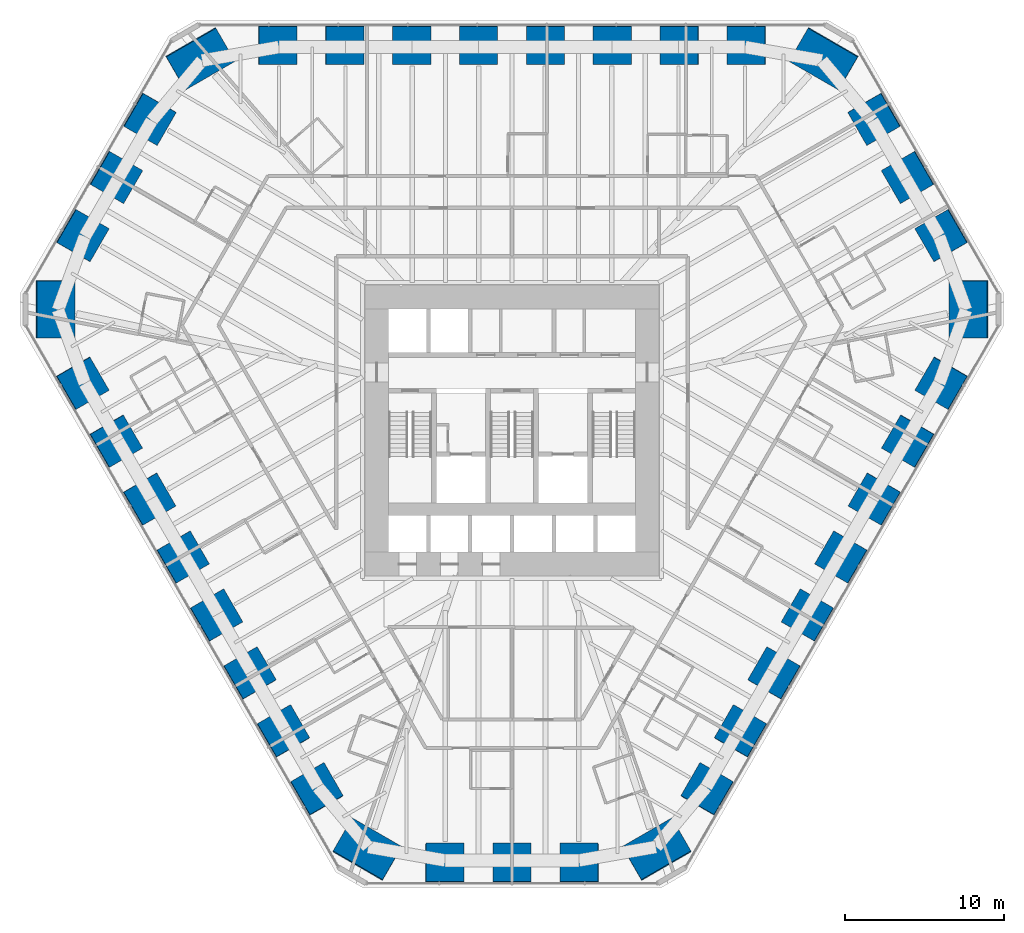
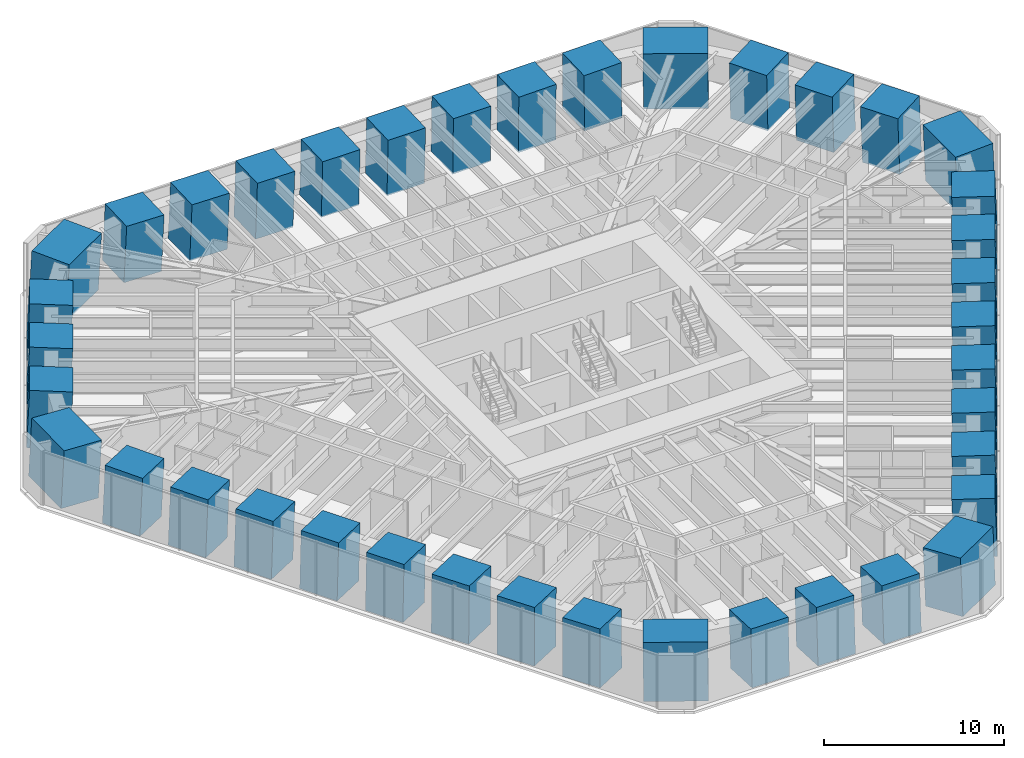
# One storey, part 1 of 17: 39 columns.
"""IFC4 building model written with IfcOpenShell, lengths in metres."""

from ifc_helpers import new_model, si_unit, direction, frame, origin, origin_2d, place, context, subcontext, project, spatial, rectangle, extrude, material, material_profile, profile_set, type_object, element, save


model = new_model("IFC4")

# Units and contexts
model_context = context("Model", 3, precision=1e-05, world=origin(), true_north=direction((0.0, 1.0)))
body_context = subcontext(model_context, "Body", "Model", "MODEL_VIEW")
ifc_project = project(units=[si_unit("LENGTHUNIT", "METRE"), si_unit("AREAUNIT", "SQUARE_METRE"), si_unit("VOLUMEUNIT", "CUBIC_METRE"), si_unit("PLANEANGLEUNIT", "RADIAN"), si_unit("MASSUNIT", "GRAM", prefix="KILO")], contexts=[model_context])

# Site, building, storey
site_placement = place(None, origin())
site = spatial("IfcSite", under=ifc_project, at=site_placement, CompositionType="ELEMENT")
building_placement = place(site_placement, origin())
building = spatial("IfcBuilding", under=site, at=building_placement, Name="Sandreach Pilgrim Tower", CompositionType="ELEMENT")
storey_placement = place(building_placement, frame((0.0, 0.0, 57.199951171875)))
storey = spatial("IfcBuildingStorey", under=building, at=storey_placement, Name="L13", CompositionType="ELEMENT", Elevation=57.199951171875)

# Columns
ifc_material_1 = material(Name="Concrete 10000 psi", Category="concrete")
ifc_material_profile_1 = material_profile(ifc_material_1, rectangle(XDim=2.39990234375, YDim=2.39990234375, at=origin_2d()), Name="RC2400X2400")
ifc_profile_set_1 = profile_set([ifc_material_profile_1], Name="Concrete 10000 psi")
column_type_1 = type_object("IfcColumnType", Name="Raked tube column RC2400X2400", PredefinedType="COLUMN", material=ifc_profile_set_1)
column_1_placement = place(storey_placement, frame((-14.734619140625, 22.688720703125, -0.072509765625), z_axis=(0.023807708363, -0.036719296231, 0.999041984256), x_axis=(0.001620059953, 0.999325341565, 0.036691103989)))
element("IfcColumn", 1, at=column_1_placement, inside=storey, type_object=column_type_1, Name="COL L13 T01", PredefinedType="COLUMN", context=body_context, shape_type="SweptSolid", body=[
    extrude(rectangle(XDim=2.39990234375, YDim=2.39990234375, at=origin_2d()), origin(), (0.0, 0.0, 1.0), 3.876220703125),
])
column_2_placement = place(storey_placement, frame((-10.52490234375, 22.688720703125, -0.064453125), z_axis=(0.017043305975, -0.036737792879, 0.999179593615), x_axis=(0.000593616433, 0.999324938891, 0.036733011435)))
element("IfcColumn", 2, at=column_2_placement, inside=storey, type_object=column_type_1, Name="COL L13 T02", PredefinedType="COLUMN", context=body_context, shape_type="SweptSolid", body=[
    extrude(rectangle(XDim=2.39990234375, YDim=2.39990234375, at=origin_2d()), origin(), (0.0, 0.0, 1.0), 3.86767578125),
])
column_3_placement = place(storey_placement, frame((-6.31494140625, 22.688720703125, -0.05615234375), z_axis=(0.010248964077, -0.036693822005, 0.999273997541), x_axis=(-0.000536626977, 0.999326138444, 0.036701240511)))
element("IfcColumn", 3, at=column_3_placement, inside=storey, type_object=column_type_1, Name="COL L13 T03", PredefinedType="COLUMN", context=body_context, shape_type="SweptSolid", body=[
    extrude(rectangle(XDim=2.39990234375, YDim=2.39990234375, at=origin_2d()), origin(), (0.0, 0.0, 1.0), 3.85888671875),
])
for number, where, z_axis, x_axis, name in (
    (4, (-2.10498046875, 22.688720703125, -0.048095703125), (0.003423631981, -0.036708942912, 0.999320135019), (-0.000358979471, 0.999325882207, 0.036710383878), "COL L13 T04"),
    (5, (2.10498046875, 22.688720703125, -0.048095703125), (-0.003423631981, -0.036708942912, 0.999320135019), (0.000358979471, 0.999325882207, 0.036710383878), "COL L13 T05"),
):
    element("IfcColumn", number, at=place(storey_placement, frame(where, z_axis=z_axis, x_axis=x_axis)), inside=storey, type_object=column_type_1, Name=name, PredefinedType="COLUMN", context=body_context, shape_type="SweptSolid", body=[
        extrude(rectangle(XDim=2.39990234375, YDim=2.39990234375, at=origin_2d()), origin(), (0.0, 0.0, 1.0), 3.850830078125),
    ])
column_4_placement = place(storey_placement, frame((6.31494140625, 22.688720703125, -0.05615234375), z_axis=(-0.010248964077, -0.036693822005, 0.999273997541), x_axis=(0.000536626977, 0.999326138444, 0.036701240511)))
element("IfcColumn", 6, at=column_4_placement, inside=storey, type_object=column_type_1, Name="COL L13 T06", PredefinedType="COLUMN", context=body_context, shape_type="SweptSolid", body=[
    extrude(rectangle(XDim=2.39990234375, YDim=2.39990234375, at=origin_2d()), origin(), (0.0, 0.0, 1.0), 3.85888671875),
])
column_5_placement = place(storey_placement, frame((10.52490234375, 22.688720703125, -0.064453125), z_axis=(-0.017043305975, -0.036737792879, 0.999179593615), x_axis=(-0.000593616433, 0.999324938891, 0.036733011435)))
element("IfcColumn", 7, at=column_5_placement, inside=storey, type_object=column_type_1, Name="COL L13 T07", PredefinedType="COLUMN", context=body_context, shape_type="SweptSolid", body=[
    extrude(rectangle(XDim=2.39990234375, YDim=2.39990234375, at=origin_2d()), origin(), (0.0, 0.0, 1.0), 3.86767578125),
])
column_6_placement = place(storey_placement, frame((14.734619140625, 22.688720703125, -0.072509765625), z_axis=(-0.023807708363, -0.036719296231, 0.999041984256), x_axis=(-0.001620059953, 0.999325341565, 0.036691103989)))
element("IfcColumn", 8, at=column_6_placement, inside=storey, type_object=column_type_1, Name="COL L13 T08", PredefinedType="COLUMN", context=body_context, shape_type="SweptSolid", body=[
    extrude(rectangle(XDim=2.39990234375, YDim=2.39990234375, at=origin_2d()), origin(), (0.0, 0.0, 1.0), 3.876220703125),
])
column_7_placement = place(storey_placement, frame((22.787841796875, 18.031982421875, -0.06298828125), z_axis=(-0.036363597957, -0.028724717136, 0.998925712638), x_axis=(0.865690468693, 0.498475700529, 0.045847446989)))
element("IfcColumn", 9, at=column_7_placement, inside=storey, type_object=column_type_1, Name="COL L13 T10", PredefinedType="COLUMN", context=body_context, shape_type="SweptSolid", body=[
    extrude(rectangle(XDim=2.39990234375, YDim=2.39990234375, at=origin_2d()), origin(), (0.0, 0.0, 1.0), 3.8671875),
])
column_8_placement = place(storey_placement, frame((24.89892578125, 14.37548828125, -0.054931640625), z_axis=(-0.039730108123, -0.022965014727, 0.998946508381), x_axis=(0.864860079933, 0.499911160853, 0.045889796174)))
element("IfcColumn", 10, at=column_8_placement, inside=storey, type_object=column_type_1, Name="COL L13 T11", PredefinedType="COLUMN", context=body_context, shape_type="SweptSolid", body=[
    extrude(rectangle(XDim=2.39990234375, YDim=2.39990234375, at=origin_2d()), origin(), (0.0, 0.0, 1.0), 3.859130859375),
])
column_9_placement = place(storey_placement, frame((27.01025390625, 10.71875, -0.06298828125), z_axis=(-0.043118544318, -0.017108529297, 0.998923465217), x_axis=(0.864985983463, 0.499692770612, 0.045895352812)))
element("IfcColumn", 11, at=column_9_placement, inside=storey, type_object=column_type_1, Name="COL L13 T12", PredefinedType="COLUMN", context=body_context, shape_type="SweptSolid", body=[
    extrude(rectangle(XDim=2.39990234375, YDim=2.39990234375, at=origin_2d()), origin(), (0.0, 0.0, 1.0), 3.8671875),
])
column_10_placement = place(storey_placement, frame((27.016357421875, 1.416259765625, -0.072509765625), z_axis=(-0.043710434902, -0.002267400081, 0.99904166919), x_axis=(0.864729368963, -0.500895636646, 0.036697133977)))
element("IfcColumn", 12, at=column_10_placement, inside=storey, type_object=column_type_1, Name="COL L13 T14", PredefinedType="COLUMN", context=body_context, shape_type="SweptSolid", body=[
    extrude(rectangle(XDim=2.39990234375, YDim=2.39990234375, at=origin_2d()), origin(), (0.0, 0.0, 1.0), 3.876220703125),
])
column_11_placement = place(storey_placement, frame((24.911376953125, -2.229736328125, -0.064453125), z_axis=(-0.04027279835, 0.003661163486, 0.999182014247), x_axis=(0.86443083339, -0.501412005955, 0.036678802707)))
element("IfcColumn", 13, at=column_11_placement, inside=storey, type_object=column_type_1, Name="COL L13 T15", PredefinedType="COLUMN", context=body_context, shape_type="SweptSolid", body=[
    extrude(rectangle(XDim=2.39990234375, YDim=2.39990234375, at=origin_2d()), origin(), (0.0, 0.0, 1.0), 3.86767578125),
])
column_12_placement = place(storey_placement, frame((22.806396484375, -5.87548828125, -0.05615234375), z_axis=(-0.036883636459, 0.009489786396, 0.999274507488), x_axis=(0.865411852922, -0.499716209012, 0.036688353378)))
element("IfcColumn", 14, at=column_12_placement, inside=storey, type_object=column_type_1, Name="COL L13 T16", PredefinedType="COLUMN", context=body_context, shape_type="SweptSolid", body=[
    extrude(rectangle(XDim=2.39990234375, YDim=2.39990234375, at=origin_2d()), origin(), (0.0, 0.0, 1.0), 3.85888671875),
])
for number, where, z_axis, x_axis, name in (
    (15, (20.701416015625, -9.521484375, -0.048095703125), (-0.033475534506, 0.015406353949, 0.999320785758), (0.865260536312, -0.499977841004, 0.036692816809), "COL L13 T17"),
    (16, (18.596435546875, -13.167236328125, -0.048095703125), (-0.030051916059, 0.021302624042, 0.999321309965), (0.865236042951, -0.500021265471, 0.036678659406), "COL L13 T18"),
):
    element("IfcColumn", number, at=place(storey_placement, frame(where, z_axis=z_axis, x_axis=x_axis)), inside=storey, type_object=column_type_1, Name=name, PredefinedType="COLUMN", context=body_context, shape_type="SweptSolid", body=[
        extrude(rectangle(XDim=2.39990234375, YDim=2.39990234375, at=origin_2d()), origin(), (0.0, 0.0, 1.0), 3.850830078125),
    ])
column_13_placement = place(storey_placement, frame((16.491455078125, -16.813232421875, -0.05615234375), z_axis=(-0.02663468037, 0.027204067837, 0.999275003437), x_axis=(0.865171328676, -0.500133438777, 0.036675815641)))
element("IfcColumn", 17, at=column_13_placement, inside=storey, type_object=column_type_1, Name="COL L13 T19", PredefinedType="COLUMN", context=body_context, shape_type="SweptSolid", body=[
    extrude(rectangle(XDim=2.39990234375, YDim=2.39990234375, at=origin_2d()), origin(), (0.0, 0.0, 1.0), 3.85888671875),
])
column_14_placement = place(storey_placement, frame((14.38671875, -20.458984375, -0.064453125), z_axis=(-0.023292559327, 0.033076696714, 0.999181359321), x_axis=(0.866091645625, -0.498536708879, 0.036693477332)))
element("IfcColumn", 18, at=column_14_placement, inside=storey, type_object=column_type_1, Name="COL L13 T20", PredefinedType="COLUMN", context=body_context, shape_type="SweptSolid", body=[
    extrude(rectangle(XDim=2.39990234375, YDim=2.39990234375, at=origin_2d()), origin(), (0.0, 0.0, 1.0), 3.86767578125),
])
column_15_placement = place(storey_placement, frame((12.28173828125, -24.10498046875, -0.072509765625), z_axis=(-0.019902730692, 0.03898667816, 0.999041500758), x_axis=(0.866273009443, -0.498220992026, 0.036700357146)))
element("IfcColumn", 19, at=column_15_placement, inside=storey, type_object=column_type_1, Name="COL L13 T21", PredefinedType="COLUMN", context=body_context, shape_type="SweptSolid", body=[
    extrude(rectangle(XDim=2.39990234375, YDim=2.39990234375, at=origin_2d()), origin(), (0.0, 0.0, 1.0), 3.876220703125),
])
column_16_placement = place(storey_placement, frame((4.222412109375, -28.7509765625, -0.06298828125), z_axis=(-0.006755027527, 0.045896308522, 0.998923369667), x_axis=(4.852239e-06, -0.998946159566, 0.045897388434)))
element("IfcColumn", 20, at=column_16_placement, inside=storey, type_object=column_type_1, Name="COL L13 T23", PredefinedType="COLUMN", context=body_context, shape_type="SweptSolid", body=[
    extrude(rectangle(XDim=2.39990234375, YDim=2.39990234375, at=origin_2d()), origin(), (0.0, 0.0, 1.0), 3.8671875),
])
column_17_placement = place(storey_placement, frame((0.0, -28.7509765625, -0.054931640625), z_axis=(0.0, 0.045929944617, 0.998944663226), x_axis=(0.0, -0.998944663226, 0.045929944617)))
element("IfcColumn", 21, at=column_17_placement, inside=storey, type_object=column_type_1, Name="COL L13 T24", PredefinedType="COLUMN", context=body_context, shape_type="SweptSolid", body=[
    extrude(rectangle(XDim=2.39990234375, YDim=2.39990234375, at=origin_2d()), origin(), (0.0, 0.0, 1.0), 3.859130859375),
])
column_18_placement = place(storey_placement, frame((-4.222412109375, -28.7509765625, -0.06298828125), z_axis=(0.006755027527, 0.045896308522, 0.998923369667), x_axis=(-4.852239e-06, -0.998946159566, 0.045897388434)))
element("IfcColumn", 22, at=column_18_placement, inside=storey, type_object=column_type_1, Name="COL L13 T25", PredefinedType="COLUMN", context=body_context, shape_type="SweptSolid", body=[
    extrude(rectangle(XDim=2.39990234375, YDim=2.39990234375, at=origin_2d()), origin(), (0.0, 0.0, 1.0), 3.8671875),
])
column_19_placement = place(storey_placement, frame((-12.28173828125, -24.10498046875, -0.072509765625), z_axis=(0.019902730692, 0.03898667816, 0.999041500758), x_axis=(-0.866273009443, -0.498220992026, 0.036700357146)))
element("IfcColumn", 23, at=column_19_placement, inside=storey, type_object=column_type_1, Name="COL L13 T27", PredefinedType="COLUMN", context=body_context, shape_type="SweptSolid", body=[
    extrude(rectangle(XDim=2.39990234375, YDim=2.39990234375, at=origin_2d()), origin(), (0.0, 0.0, 1.0), 3.876220703125),
])
column_20_placement = place(storey_placement, frame((-14.38671875, -20.458984375, -0.064453125), z_axis=(0.023292559327, 0.033076696714, 0.999181359321), x_axis=(-0.866091645625, -0.498536708879, 0.036693477332)))
element("IfcColumn", 24, at=column_20_placement, inside=storey, type_object=column_type_1, Name="COL L13 T28", PredefinedType="COLUMN", context=body_context, shape_type="SweptSolid", body=[
    extrude(rectangle(XDim=2.39990234375, YDim=2.39990234375, at=origin_2d()), origin(), (0.0, 0.0, 1.0), 3.86767578125),
])
column_21_placement = place(storey_placement, frame((-16.491455078125, -16.813232421875, -0.05615234375), z_axis=(0.02663468037, 0.027204067837, 0.999275003437), x_axis=(-0.865171328676, -0.500133438777, 0.036675815641)))
element("IfcColumn", 25, at=column_21_placement, inside=storey, type_object=column_type_1, Name="COL L13 T29", PredefinedType="COLUMN", context=body_context, shape_type="SweptSolid", body=[
    extrude(rectangle(XDim=2.39990234375, YDim=2.39990234375, at=origin_2d()), origin(), (0.0, 0.0, 1.0), 3.85888671875),
])
for number, where, z_axis, x_axis, name in (
    (26, (-18.596435546875, -13.167236328125, -0.048095703125), (0.030051916059, 0.021302624042, 0.999321309965), (-0.865236042951, -0.500021265471, 0.036678659406), "COL L13 T30"),
    (27, (-20.701416015625, -9.521484375, -0.048095703125), (0.033475534506, 0.015406353949, 0.999320785758), (-0.865260536312, -0.499977841004, 0.036692816809), "COL L13 T31"),
):
    element("IfcColumn", number, at=place(storey_placement, frame(where, z_axis=z_axis, x_axis=x_axis)), inside=storey, type_object=column_type_1, Name=name, PredefinedType="COLUMN", context=body_context, shape_type="SweptSolid", body=[
        extrude(rectangle(XDim=2.39990234375, YDim=2.39990234375, at=origin_2d()), origin(), (0.0, 0.0, 1.0), 3.850830078125),
    ])
column_22_placement = place(storey_placement, frame((-22.806396484375, -5.87548828125, -0.05615234375), z_axis=(0.036883636459, 0.009489786396, 0.999274507488), x_axis=(-0.865411852922, -0.499716209012, 0.036688353378)))
element("IfcColumn", 28, at=column_22_placement, inside=storey, type_object=column_type_1, Name="COL L13 T32", PredefinedType="COLUMN", context=body_context, shape_type="SweptSolid", body=[
    extrude(rectangle(XDim=2.39990234375, YDim=2.39990234375, at=origin_2d()), origin(), (0.0, 0.0, 1.0), 3.85888671875),
])
column_23_placement = place(storey_placement, frame((-24.911376953125, -2.229736328125, -0.064453125), z_axis=(0.04027279835, 0.003661163486, 0.999182014247), x_axis=(-0.86443083339, -0.501412005955, 0.036678802707)))
element("IfcColumn", 29, at=column_23_placement, inside=storey, type_object=column_type_1, Name="COL L13 T33", PredefinedType="COLUMN", context=body_context, shape_type="SweptSolid", body=[
    extrude(rectangle(XDim=2.39990234375, YDim=2.39990234375, at=origin_2d()), origin(), (0.0, 0.0, 1.0), 3.86767578125),
])
column_24_placement = place(storey_placement, frame((-27.016357421875, 1.416259765625, -0.072509765625), z_axis=(0.043710434902, -0.002267400081, 0.99904166919), x_axis=(-0.864729368963, -0.500895636646, 0.036697133977)))
element("IfcColumn", 30, at=column_24_placement, inside=storey, type_object=column_type_1, Name="COL L13 T34", PredefinedType="COLUMN", context=body_context, shape_type="SweptSolid", body=[
    extrude(rectangle(XDim=2.39990234375, YDim=2.39990234375, at=origin_2d()), origin(), (0.0, 0.0, 1.0), 3.876220703125),
])
column_25_placement = place(storey_placement, frame((-27.01025390625, 10.71875, -0.06298828125), z_axis=(0.043118544318, -0.017108529297, 0.998923465217), x_axis=(-0.864985983463, 0.499692770612, 0.045895352812)))
element("IfcColumn", 31, at=column_25_placement, inside=storey, type_object=column_type_1, Name="COL L13 T36", PredefinedType="COLUMN", context=body_context, shape_type="SweptSolid", body=[
    extrude(rectangle(XDim=2.39990234375, YDim=2.39990234375, at=origin_2d()), origin(), (0.0, 0.0, 1.0), 3.8671875),
])
column_26_placement = place(storey_placement, frame((-24.89892578125, 14.37548828125, -0.054931640625), z_axis=(0.039730108123, -0.022965014727, 0.998946508381), x_axis=(-0.864860079933, 0.499911160853, 0.045889796174)))
element("IfcColumn", 32, at=column_26_placement, inside=storey, type_object=column_type_1, Name="COL L13 T37", PredefinedType="COLUMN", context=body_context, shape_type="SweptSolid", body=[
    extrude(rectangle(XDim=2.39990234375, YDim=2.39990234375, at=origin_2d()), origin(), (0.0, 0.0, 1.0), 3.859130859375),
])
column_27_placement = place(storey_placement, frame((-22.787841796875, 18.031982421875, -0.06298828125), z_axis=(0.036363597957, -0.028724717136, 0.998925712638), x_axis=(-0.865690468693, 0.498475700529, 0.045847446989)))
element("IfcColumn", 33, at=column_27_placement, inside=storey, type_object=column_type_1, Name="COL L13 T38", PredefinedType="COLUMN", context=body_context, shape_type="SweptSolid", body=[
    extrude(rectangle(XDim=2.39990234375, YDim=2.39990234375, at=origin_2d()), origin(), (0.0, 0.0, 1.0), 3.8671875),
])
ifc_material_2 = material(Name="Concrete 10000 psi", Category="concrete")
ifc_material_profile_2 = material_profile(ifc_material_2, rectangle(XDim=2.39990234375, YDim=3.60009765625, at=origin_2d()), Name="RC2400X3600")
ifc_profile_set_2 = profile_set([ifc_material_profile_2], Name="Concrete 10000 psi")
column_type_2 = type_object("IfcColumnType", Name="Raked tube corner pier RC2400X3600", PredefinedType="COLUMN", material=ifc_profile_set_2)
for number, where, z_axis, x_axis, name in (
    (34, (19.6064453125, 21.834716796875, -0.073974609375), (-0.031977479923, -0.035565504245, 0.998855613032), (0.499614084721, 0.86498331378, 0.046793516973), "COL L13 T09"),
    (35, (28.712646484375, 6.062255859375, -0.073974609375), (-0.046770266541, -0.009882815406, 0.998856782591), (0.998905658645, -0.000297342908, 0.046769613155), "COL L13 T13"),
    (36, (9.1064453125, -27.89697265625, -0.073974609375), (-0.014855688744, 0.045448335903, 0.998856224527), (0.500199299097, -0.864645706227, 0.046781020575), "COL L13 T22"),
    (37, (-9.1064453125, -27.89697265625, -0.073974609375), (0.014855688744, 0.045448335903, 0.998856224527), (-0.500199299097, -0.864645706227, 0.046781020575), "COL L13 T26"),
    (38, (-28.712646484375, 6.062255859375, -0.073974609375), (0.046770266541, -0.009882815406, 0.998856782591), (-0.998905658645, -0.000297342908, 0.046769613155), "COL L13 T35"),
    (39, (-19.6064453125, 21.834716796875, -0.073974609375), (0.031977479923, -0.035565504245, 0.998855613032), (-0.499614084721, 0.86498331378, 0.046793516973), "COL L13 T39"),
):
    element("IfcColumn", number, at=place(storey_placement, frame(where, z_axis=z_axis, x_axis=x_axis)), inside=storey, type_object=column_type_2, Name=name, PredefinedType="COLUMN", context=body_context, shape_type="SweptSolid", body=[
        extrude(rectangle(XDim=2.39990234375, YDim=3.60009765625, at=origin_2d()), origin(), (0.0, 0.0, 1.0), 3.87841796875),
    ])

save(model, "model.ifc")
